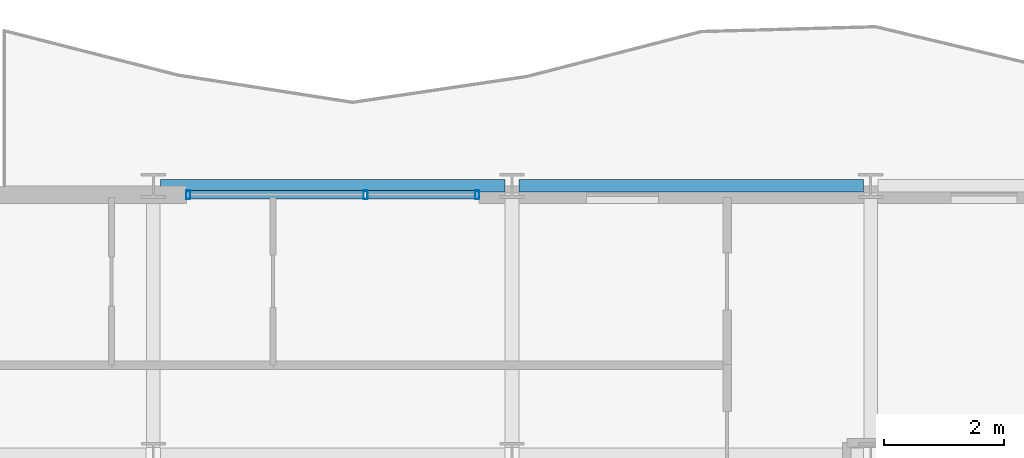
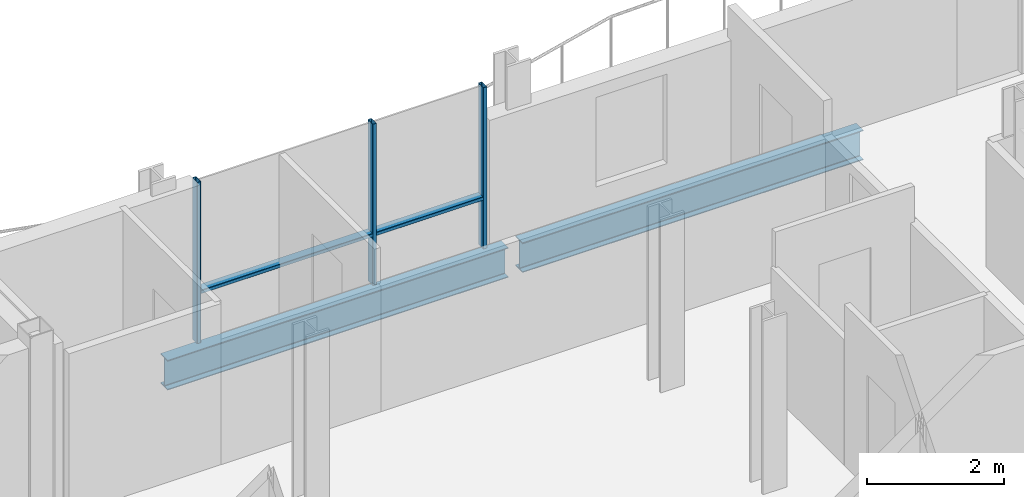
# One storey, part 23 of 41: 5 members, 2 beams, 1 element without a shape of its own.
"""IFC4 building model written with IfcOpenShell, lengths in metres."""

import ifcopenshell
import ifcopenshell.guid

model = None  # the IFC model being written
_history = None  # IfcOwnerHistory: only IFC2X3 demands one
_inside = {}  # id of a spatial element -> (the spatial element, [elements in it])
_under = {}  # id of a project, library or spatial element -> (it, [spatial elements below it])
_declared = {}  # id of a project -> (the project, [libraries it declares])
_typed = {}  # id of a type object -> (the type object, [elements of that type])
_made_of = {}  # id of a material, layer set ... -> (it, [elements and type objects made of it])


def new_model(schema):
    """Start an empty IFC model of exactly this schema.

    Asked for "IFC4X3", IfcOpenShell would pick the latest addendum, in which some entities
    have other attributes; the version numbers below select the first issue.
    IFC2X3 requires an IfcOwnerHistory on every rooted entity: one is made here for all.
    """
    global model, _history
    if schema == "IFC4X3":
        model = ifcopenshell.file(schema_version=(4, 3, 0, 0))
    else:
        model = ifcopenshell.file(schema=schema)
    _inside.clear()
    _under.clear()
    _declared.clear()
    _typed.clear()
    _made_of.clear()
    _history = None
    if model.schema == "IFC2X3":
        org = make("IfcOrganization", Name="unknown")
        user = make(
            "IfcPersonAndOrganization",
            ThePerson=make("IfcPerson", FamilyName="unknown"),
            TheOrganization=org,
        )
        app = make(
            "IfcApplication",
            ApplicationDeveloper=org,
            Version="unknown",
            ApplicationFullName="unknown",
            ApplicationIdentifier="unknown",
        )
        _history = make(
            "IfcOwnerHistory",
            OwningUser=user,
            OwningApplication=app,
            ChangeAction="ADDED",
            CreationDate=0,
        )
    return model


def make(cls, **values):
    """One entity of the class cls with the attributes given. An attribute that is None is left unset."""
    return model.create_entity(
        cls, **{name: value for name, value in values.items() if value is not None}
    )


def rooted(cls, **values):
    """An entity with a GlobalId (a new one), such as an element, a storey or a relation."""
    return make(cls, GlobalId=ifcopenshell.guid.new(), OwnerHistory=_history, **values)


def si_unit(unit_type, name, prefix=None):
    """IfcSIUnit, for example si_unit("LENGTHUNIT", "METRE", prefix="MILLI")."""
    return make("IfcSIUnit", UnitType=unit_type, Prefix=prefix, Name=name)


def assignment(units):
    """IfcUnitAssignment: the units of a project."""
    return None if units is None else make("IfcUnitAssignment", Units=units)


def point(xyz):
    """IfcCartesianPoint."""
    return None if xyz is None else make("IfcCartesianPoint", Coordinates=xyz)


def direction(xyz):
    """IfcDirection."""
    return None if xyz is None else make("IfcDirection", DirectionRatios=xyz)


def frame(location, z_axis=None, x_axis=None):
    """IfcAxis2Placement3D, a coordinate frame: its origin and axes. An axis left out is left unset."""
    return make(
        "IfcAxis2Placement3D",
        Location=point(location),
        Axis=direction(z_axis),
        RefDirection=direction(x_axis),
    )


def frame_2d(location, x_axis=None):
    """IfcAxis2Placement2D, a coordinate frame in the plane: its origin and x axis."""
    return make(
        "IfcAxis2Placement2D", Location=point(location), RefDirection=direction(x_axis)
    )


def origin():
    """The frame at (0, 0, 0) with its axes left unset."""
    return frame((0.0, 0.0, 0.0))


def origin_2d():
    """The frame at (0, 0) in the plane with its x axis left unset."""
    return frame_2d((0.0, 0.0))


def place(relative_to, where):
    """IfcLocalPlacement: puts the frame where relative to a parent placement (None: the world)."""
    return make(
        "IfcLocalPlacement", PlacementRelTo=relative_to, RelativePlacement=where
    )


def context(
    kind, dimensions, precision=None, world=None, true_north=None, identifier=None
):
    """IfcGeometricRepresentationContext, for example the 3D "Model" context."""
    return make(
        "IfcGeometricRepresentationContext",
        ContextIdentifier=identifier,
        ContextType=kind,
        CoordinateSpaceDimension=dimensions,
        Precision=precision,
        WorldCoordinateSystem=world,
        TrueNorth=true_north,
    )


def subcontext(parent, identifier, kind, view, scale=None):
    """IfcGeometricRepresentationSubContext, for example "Body" below "Model"."""
    return make(
        "IfcGeometricRepresentationSubContext",
        ContextIdentifier=identifier,
        ContextType=kind,
        ParentContext=parent,
        TargetScale=scale,
        TargetView=view,
    )


def project(units=None, contexts=None):
    """IfcProject with its units and contexts."""
    return rooted(
        "IfcProject",
        Name="project",
        RepresentationContexts=contexts,
        UnitsInContext=assignment(units),
    )


def spatial(cls, under=None, at=None, **own):
    """A site, building, storey or space (cls), placed at a placement, below another one or the project."""
    s = rooted(cls, ObjectPlacement=at, **own)
    if under is not None:
        _under.setdefault(under.id(), (under, []))[1].append(s)
    return s


def profile(cls, at=None, kind="AREA", **sizes):
    """A parametric profile (cls). Its sizes go by their IFC names, for example OverallWidth=200.0."""
    return make(cls, ProfileType=kind, Position=at, **sizes)


def hollow_rectangle(**sizes):
    """IfcRectangleHollowProfileDef."""
    return profile("IfcRectangleHollowProfileDef", **sizes)


def i_section(**sizes):
    """IfcIShapeProfileDef."""
    return profile("IfcIShapeProfileDef", **sizes)


def extrude(swept, where, along, depth):
    """IfcExtrudedAreaSolid: the profile swept, set in the frame where, extruded along a direction by depth."""
    return make(
        "IfcExtrudedAreaSolid",
        SweptArea=swept,
        Position=where,
        ExtrudedDirection=direction(along),
        Depth=depth,
    )


def shape(context_of_items, identifier, shape_type, items):
    """IfcShapeRepresentation: the items that make up one representation, for example the "Body"."""
    return make(
        "IfcShapeRepresentation",
        ContextOfItems=context_of_items,
        RepresentationIdentifier=identifier,
        RepresentationType=shape_type,
        Items=items,
    )


def material(Name=None, Category=None):
    """IfcMaterial."""
    return make("IfcMaterial", Name=Name, Category=Category)


def layer(
    of_material, thickness, ventilated=None, Name=None, Category=None, Priority=None
):
    """IfcMaterialLayer: one layer of a wall or slab, of a material (None: an air gap)."""
    return make(
        "IfcMaterialLayer",
        Material=of_material,
        LayerThickness=thickness,
        IsVentilated=ventilated,
        Name=Name,
        Category=Category,
        Priority=Priority,
    )


def layer_set(layers, Name=None):
    """IfcMaterialLayerSet."""
    return make("IfcMaterialLayerSet", MaterialLayers=layers, LayerSetName=Name)


def material_profile(
    of_material, cross_section, Name=None, Category=None, Priority=None
):
    """IfcMaterialProfile: a cross section and its material."""
    return make(
        "IfcMaterialProfile",
        Name=Name,
        Material=of_material,
        Profile=cross_section,
        Priority=Priority,
        Category=Category,
    )


def profile_set(profiles, Name=None, composite=None):
    """IfcMaterialProfileSet."""
    return make(
        "IfcMaterialProfileSet",
        Name=Name,
        MaterialProfiles=profiles,
        CompositeProfile=composite,
    )


def made_of(thing, what):
    """Note that an element or type object is made of a material, layer set ...; save() writes the relation."""
    if what is not None:
        _made_of.setdefault(what.id(), (what, []))[1].append(thing)
    return thing


def type_object(cls, material=None, **own):
    """A type object (cls), such as IfcWallType, which elements share."""
    return made_of(rooted(cls, **own), material)


def element(
    cls,
    number,
    at=None,
    inside=None,
    cuts=None,
    type_object=None,
    material=None,
    context=None,
    identifier="Body",
    shape_type=None,
    held_by="IfcProductDefinitionShape",
    body=None,
    shapes=None,
    **own,
):
    """One element of the class cls, such as IfcWall. Its Tag is "e" and its number.

    at: its placement. inside: the storey or other place that contains it. cuts: it is an
    opening in that element (IfcRelVoidsElement). A single representation is given by context,
    identifier, shape_type and body (its items); several are given by shapes. held_by: the class
    of the entity that holds the representations. save() writes the other relations.
    """
    e = rooted(cls, Tag="e%d" % number, ObjectPlacement=at, **own)
    if body is not None:
        shapes = [shape(context, identifier, shape_type, body)]
    if shapes is not None:
        e.Representation = make(held_by, Representations=shapes)
    if inside is not None:
        _inside.setdefault(inside.id(), (inside, []))[1].append(e)
    if cuts is not None:
        rooted(
            "IfcRelVoidsElement", RelatingBuildingElement=cuts, RelatedOpeningElement=e
        )
    if type_object is not None:
        _typed.setdefault(type_object.id(), (type_object, []))[1].append(e)
    return made_of(e, material)


def aggregate(whole, parts):
    """IfcRelAggregates: a whole, such as a stair, and the parts it consists of."""
    return rooted("IfcRelAggregates", RelatingObject=whole, RelatedObjects=parts)


def save(model, path):
    """Write the relations noted so far, then the file.

    IfcRelAggregates (storeys below a building ...), IfcRelContainedInSpatialStructure (elements
    in a storey), IfcRelDefinesByType, IfcRelAssociatesMaterial and IfcRelDeclares: one each for
    every whole, place, type object, material and project.
    """
    for whole, parts in _under.values():
        aggregate(whole, parts)
    for where, things in _inside.values():
        rooted(
            "IfcRelContainedInSpatialStructure",
            RelatedElements=things,
            RelatingStructure=where,
        )
    for kind, things in _typed.values():
        rooted("IfcRelDefinesByType", RelatedObjects=things, RelatingType=kind)
    for what, things in _made_of.values():
        rooted("IfcRelAssociatesMaterial", RelatedObjects=things, RelatingMaterial=what)
    for by, libraries in _declared.values():
        rooted("IfcRelDeclares", RelatingContext=by, RelatedDefinitions=libraries)
    model.write(path)


model = new_model("IFC4")

# Units and contexts
model_context = context("Model", 3, precision=1e-05, world=origin(), true_north=direction((0.0, 1.0)))
body_context = subcontext(model_context, "Body", "Model", "MODEL_VIEW")
ifc_project = project(units=[si_unit("LENGTHUNIT", "METRE"), si_unit("AREAUNIT", "SQUARE_METRE"), si_unit("VOLUMEUNIT", "CUBIC_METRE"), si_unit("PLANEANGLEUNIT", "RADIAN"), si_unit("MASSUNIT", "GRAM", prefix="KILO")], contexts=[model_context])

# Site, building, storey
site_placement = place(None, origin())
site = spatial("IfcSite", under=ifc_project, at=site_placement, CompositionType="ELEMENT")
building_placement = place(site_placement, origin())
building = spatial("IfcBuilding", under=site, at=building_placement, Name="Brevholm Reach", CompositionType="ELEMENT")
storey_placement = place(building_placement, frame((0.0, 0.0, 157.300048828125)))
storey = spatial("IfcBuildingStorey", under=building, at=storey_placement, Name="L47", CompositionType="ELEMENT", Elevation=157.300048828125)

# Beams
ifc_material_1 = material(Name="Structural Steel S355J2", Category="steel")
ifc_material_profile_1 = material_profile(ifc_material_1, i_section(OverallWidth=0.209228515625, OverallDepth=0.533203125, WebThickness=0.010009765625, FlangeThickness=0.015625, FilletRadius=0.0126953125, at=origin_2d()), Name="UKB 533x210x92")
ifc_profile_set_1 = profile_set([ifc_material_profile_1], Name="Structural Steel S355J2")
beam_type = type_object("IfcBeamType", Name="BM-SP533", PredefinedType="SPANDREL", material=ifc_profile_set_1)
for number, where, z_axis, x_axis, name in (
    (1, (6.1201171875, 31.0, -0.486572265625), (1.0, 0.0, 0.0), (0.0, 1.0, 0.0), "L47 SP-02 Framing Beam"),
    (2, (12.1201171875, 31.0, -0.486572265625), (1.0, 0.0, 0.0), (0.0, 1.0, 0.0), "L47 SP-02 Framing Beam"),
):
    element("IfcBeam", number, at=place(storey_placement, frame(where, z_axis=z_axis, x_axis=x_axis)), inside=storey, type_object=beam_type, Name=name, PredefinedType="SPANDREL", context=body_context, shape_type="SweptSolid", body=[
        extrude(i_section(OverallWidth=0.209228515625, OverallDepth=0.533203125, WebThickness=0.010009765625, FlangeThickness=0.015625, FilletRadius=0.0126953125, at=origin_2d()), origin(), (0.0, 0.0, 1.0), 5.759765625),
    ])

# Curtain wall, members
ifc_material_2 = material(Name="Dark Anodised Aluminium 6063-T6 and Solar-Control Glass", Category="aluminium")
ifc_layer = layer(ifc_material_2, 0.14990234375)
ifc_layer_set = layer_set([ifc_layer], Name="Dark Anodised Aluminium 6063-T6 and Solar-Control Glass")
curtain_wall_type = type_object("IfcCurtainWallType", Name="CW-01", PredefinedType="NOTDEFINED", material=ifc_layer_set)
curtain_wall_placement = place(storey_placement, origin())
curtain_wall = element("IfcCurtainWall", 3, at=curtain_wall_placement, inside=storey, type_object=curtain_wall_type, Name="L47 Curtain Wall CW-01", PredefinedType="NOTDEFINED")
ifc_material_3 = material(Name="Dark Anodised Aluminium 6063-T6", Category="aluminium")
ifc_material_profile_2 = material_profile(ifc_material_3, hollow_rectangle(XDim=0.06494140625, YDim=0.14990234375, WallThickness=0.0048828125, InnerFilletRadius=0.0048828125, OuterFilletRadius=0.010009765625, at=origin_2d()), Name="RHS 150x65x5")
ifc_profile_set_2 = profile_set([ifc_material_profile_2], Name="Dark Anodised Aluminium 6063-T6")
member_type_1 = type_object("IfcMemberType", Name="CWM-150", PredefinedType="MULLION", material=ifc_profile_set_2)
member_1_placement = place(storey_placement, frame((6.58251953125, 30.85009765625, 0.0), z_axis=(0.0, 0.0, 1.0), x_axis=(1.0, 0.0, 0.0)))
member_1 = element("IfcMember", 4, at=member_1_placement, type_object=member_type_1, Name="CM-150 Mullion 1", PredefinedType="MULLION", context=body_context, shape_type="SweptSolid", body=[
    extrude(hollow_rectangle(XDim=0.06494140625, YDim=0.14990234375, WallThickness=0.0048828125, InnerFilletRadius=0.0048828125, OuterFilletRadius=0.010009765625, at=origin_2d()), origin(), (0.0, 0.0, 1.0), 2.8798828125),
])
member_2_placement = place(storey_placement, frame((9.550048828125, 30.85009765625, 0.0), z_axis=(0.0, 0.0, 1.0), x_axis=(1.0, 0.0, 0.0)))
member_2 = element("IfcMember", 5, at=member_2_placement, type_object=member_type_1, Name="CM-150 Mullion 2", PredefinedType="MULLION", context=body_context, shape_type="SweptSolid", body=[
    extrude(hollow_rectangle(XDim=0.06494140625, YDim=0.14990234375, WallThickness=0.0048828125, InnerFilletRadius=0.0048828125, OuterFilletRadius=0.010009765625, at=origin_2d()), origin(), (0.0, 0.0, 1.0), 2.8798828125),
])
member_3_placement = place(storey_placement, frame((11.41748046875, 30.85009765625, 0.0), z_axis=(0.0, 0.0, 1.0), x_axis=(1.0, 0.0, 0.0)))
member_3 = element("IfcMember", 6, at=member_3_placement, type_object=member_type_1, Name="CM-150 Mullion 3", PredefinedType="MULLION", context=body_context, shape_type="SweptSolid", body=[
    extrude(hollow_rectangle(XDim=0.06494140625, YDim=0.14990234375, WallThickness=0.0048828125, InnerFilletRadius=0.0048828125, OuterFilletRadius=0.010009765625, at=origin_2d()), origin(), (0.0, 0.0, 1.0), 2.8798828125),
])
ifc_material_4 = material(Name="Dark Anodised Aluminium 6063-T6", Category="aluminium")
ifc_material_profile_3 = material_profile(ifc_material_4, hollow_rectangle(XDim=0.06494140625, YDim=0.14990234375, WallThickness=0.0048828125, InnerFilletRadius=0.0048828125, OuterFilletRadius=0.010009765625, at=origin_2d()), Name="RHS 150x65x5")
ifc_profile_set_3 = profile_set([ifc_material_profile_3], Name="Dark Anodised Aluminium 6063-T6")
member_type_2 = type_object("IfcMemberType", Name="CWT-150", PredefinedType="NOTDEFINED", material=ifc_profile_set_3)
member_4_placement = place(storey_placement, frame((6.614990234375, 30.85009765625, 0.89990234375), z_axis=(1.0, 0.0, 0.0), x_axis=(0.0, 0.0, 1.0)))
member_4 = element("IfcMember", 7, at=member_4_placement, type_object=member_type_2, Name="CT-150 Transom 1.1", ObjectType="TRANSOM", PredefinedType="USERDEFINED", context=body_context, shape_type="SweptSolid", body=[
    extrude(hollow_rectangle(XDim=0.06494140625, YDim=0.14990234375, WallThickness=0.0048828125, InnerFilletRadius=0.0048828125, OuterFilletRadius=0.010009765625, at=origin_2d()), origin(), (0.0, 0.0, 1.0), 2.902587890625),
])
member_5_placement = place(storey_placement, frame((9.58251953125, 30.85009765625, 0.89990234375), z_axis=(1.0, 0.0, 0.0), x_axis=(0.0, 0.0, 1.0)))
member_5 = element("IfcMember", 8, at=member_5_placement, type_object=member_type_2, Name="CT-150 Transom 2.1", ObjectType="TRANSOM", PredefinedType="USERDEFINED", context=body_context, shape_type="SweptSolid", body=[
    extrude(hollow_rectangle(XDim=0.06494140625, YDim=0.14990234375, WallThickness=0.0048828125, InnerFilletRadius=0.0048828125, OuterFilletRadius=0.010009765625, at=origin_2d()), origin(), (0.0, 0.0, 1.0), 1.802490234375),
])
aggregate(curtain_wall, [member_1, member_2, member_3, member_4, member_5])

save(model, "model.ifc")
